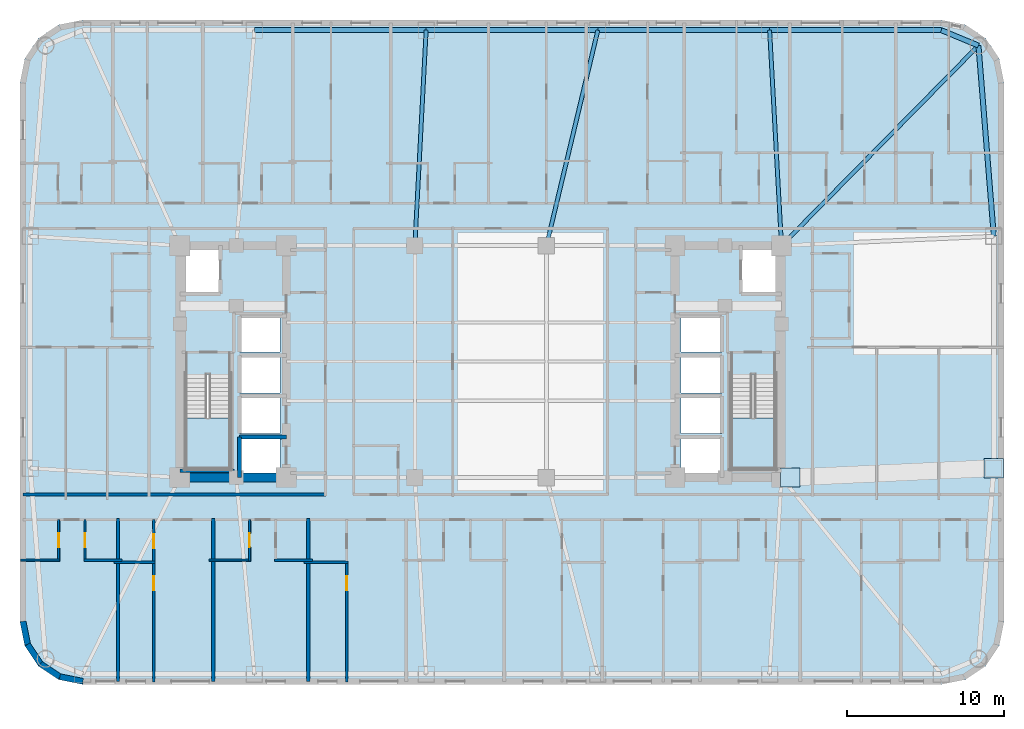
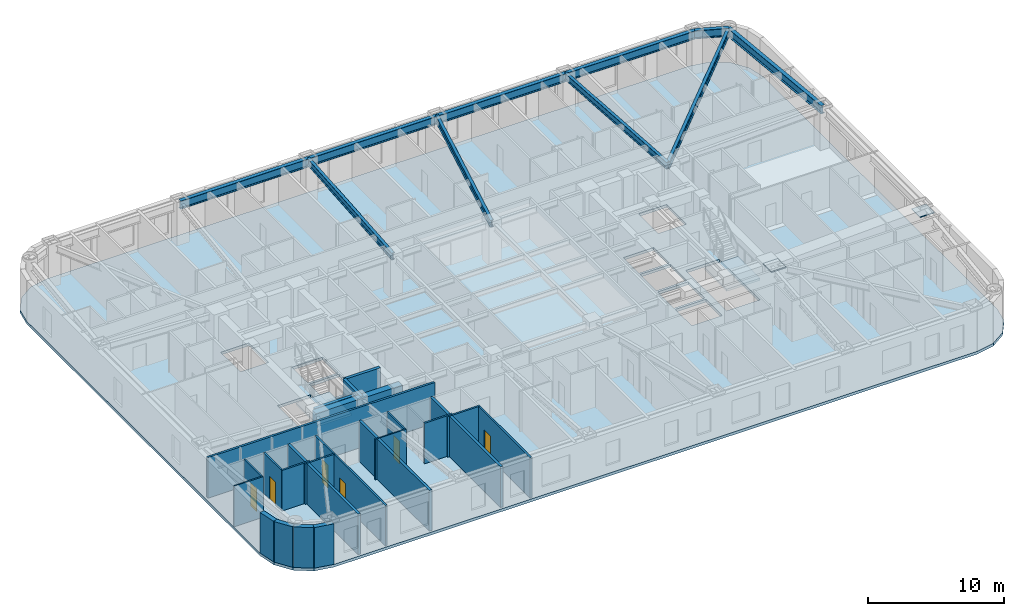
# One storey, part 2 of 13: 24 walls, 10 beams, 6 doors, 3 slabs, 2 plates, 6 openings, 2 elements without a shape of their own.
"""IFC4 building model written with IfcOpenShell, lengths in metres."""

from ifc_helpers import new_model, si_unit, direction, frame, frame_2d, origin, origin_2d, place, context, subcontext, project, spatial, polyline, rectangle, i_section, outline, extrude, material, layer, layer_set, material_profile, profile_set, type_object, element, fill, aggregate, save


model = new_model("IFC4")

# Units and contexts
model_context = context("Model", 3, precision=1e-05, world=origin(), true_north=direction((0.0, 1.0)))
body_context = subcontext(model_context, "Body", "Model", "MODEL_VIEW")
ifc_project = project(units=[si_unit("LENGTHUNIT", "METRE"), si_unit("AREAUNIT", "SQUARE_METRE"), si_unit("VOLUMEUNIT", "CUBIC_METRE"), si_unit("PLANEANGLEUNIT", "RADIAN"), si_unit("MASSUNIT", "GRAM", prefix="KILO")], contexts=[model_context])

# Site, building, storey
site_placement = place(None, origin())
site = spatial("IfcSite", under=ifc_project, at=site_placement, CompositionType="ELEMENT")
building_placement = place(site_placement, origin())
building = spatial("IfcBuilding", under=site, at=building_placement, Name="Voryun Gate Residences", CompositionType="ELEMENT")
storey_placement = place(building_placement, frame((0.0, 0.0, 124.800048828125)))
storey = spatial("IfcBuildingStorey", under=building, at=storey_placement, Name="L30", CompositionType="ELEMENT", Elevation=124.800048828125)

# Beams
ifc_material_1 = material(Name="Steel SM355", Category="steel")
ifc_material_profile_1 = material_profile(ifc_material_1, i_section(OverallWidth=0.320068359375, OverallDepth=0.75, WebThickness=0.01611328125, FlangeThickness=0.028076171875, FilletRadius=0.01806640625, at=origin_2d()), Name="H-750x320x16x28")
ifc_profile_set_1 = profile_set([ifc_material_profile_1], Name="Steel SM355")
beam_type_1 = type_object("IfcBeamType", Name="BM_EXO_SPANDREL_L", PredefinedType="SPANDREL", material=ifc_profile_set_1)
beam_1_placement = place(storey_placement, frame((32.75, 7.998046875, 3.27490234375), z_axis=(-0.080359517973, 0.996765944378, 0.0), x_axis=(-0.996765944378, -0.080359517973, 0.0)))
element("IfcBeam", 1, at=beam_1_placement, inside=storey, type_object=beam_type_1, Name="BM-L30-SPAND-09", PredefinedType="SPANDREL", context=body_context, shape_type="SweptSolid", body=[
    extrude(i_section(OverallWidth=0.320068359375, OverallDepth=0.75, WebThickness=0.01611328125, FlangeThickness=0.028076171875, FilletRadius=0.01806640625, at=origin_2d()), origin(), (0.0, 0.0, 1.0), 12.210205078125),
])
beam_2_placement = place(storey_placement, frame((31.768798828125, 20.168701171875, 3.27490234375), z_axis=(-0.923883376753, 0.382674151414, 0.0), x_axis=(-0.382674151414, -0.923883376753, 0.0)))
element("IfcBeam", 2, at=beam_2_placement, inside=storey, type_object=beam_type_1, Name="BM-L30-SPAND-10", PredefinedType="SPANDREL", context=body_context, shape_type="SweptSolid", body=[
    extrude(i_section(OverallWidth=0.320068359375, OverallDepth=0.75, WebThickness=0.01611328125, FlangeThickness=0.028076171875, FilletRadius=0.01806640625, at=origin_2d()), origin(), (0.0, 0.0, 1.0), 2.56396484375),
])
for number, where, z_axis, x_axis, name in (
    (3, (29.39990234375, 21.14990234375, 3.27490234375), (-1.0, 0.0, 0.0), (0.0, -1.0, 0.0), "BM-L30-SPAND-11"),
    (4, (18.43994140625, 21.14990234375, 3.27490234375), (-1.0, 0.0, 0.0), (0.0, -1.0, 0.0), "BM-L30-SPAND-12"),
    (5, (7.47998046875, 21.14990234375, 3.27490234375), (-1.0, 0.0, 0.0), (0.0, -1.0, 0.0), "BM-L30-SPAND-13"),
    (6, (-3.47998046875, 21.14990234375, 3.27490234375), (-1.0, 0.0, 0.0), (0.0, -1.0, 0.0), "BM-L30-SPAND-14"),
):
    element("IfcBeam", number, at=place(storey_placement, frame(where, z_axis=z_axis, x_axis=x_axis)), inside=storey, type_object=beam_type_1, Name=name, PredefinedType="SPANDREL", context=body_context, shape_type="SweptSolid", body=[
        extrude(i_section(OverallWidth=0.320068359375, OverallDepth=0.75, WebThickness=0.01611328125, FlangeThickness=0.028076171875, FilletRadius=0.01806640625, at=origin_2d()), origin(), (0.0, 0.0, 1.0), 10.9599609375),
    ])
ifc_material_2 = material(Name="Steel SM355", Category="steel")
ifc_material_profile_2 = material_profile(ifc_material_2, i_section(OverallWidth=0.25, OverallDepth=0.60009765625, WebThickness=0.011962890625, FlangeThickness=0.02197265625, FilletRadius=0.01806640625, at=origin_2d()), Name="H-600x250x12x22")
ifc_profile_set_2 = profile_set([ifc_material_profile_2], Name="Steel SM355")
beam_type_2 = type_object("IfcBeamType", Name="BM_GIRD_600", PredefinedType="USERDEFINED", material=ifc_profile_set_2)
beam_3_placement = place(storey_placement, frame((19.199951171875, 7.39990234375, 3.349853515625), z_axis=(0.701504829324, 0.712664699866, 0.0), x_axis=(-0.712664699866, 0.701504829324, 0.0)))
element("IfcBeam", 7, at=beam_3_placement, inside=storey, type_object=beam_type_2, Name="BM-L30-RAD-CNE", ObjectType="GIRDER", PredefinedType="USERDEFINED", context=body_context, shape_type="SweptSolid", body=[
    extrude(i_section(OverallWidth=0.25, OverallDepth=0.60009765625, WebThickness=0.011962890625, FlangeThickness=0.02197265625, FilletRadius=0.01806640625, at=origin_2d()), origin(), (0.0, 0.0, 1.0), 17.9169921875),
])
beam_4_placement = place(storey_placement, frame((19.199951171875, 7.39990234375, 3.349853515625), z_axis=(-0.055189196078, 0.9984759149, 0.0), x_axis=(-0.9984759149, -0.055189196078, 0.0)))
element("IfcBeam", 8, at=beam_4_placement, inside=storey, type_object=beam_type_2, Name="BM-L30-RAD-N2", ObjectType="GIRDER", PredefinedType="USERDEFINED", context=body_context, shape_type="SweptSolid", body=[
    extrude(i_section(OverallWidth=0.25, OverallDepth=0.60009765625, WebThickness=0.011962890625, FlangeThickness=0.02197265625, FilletRadius=0.01806640625, at=origin_2d()), origin(), (0.0, 0.0, 1.0), 13.77099609375),
])
beam_5_placement = place(storey_placement, frame((4.199951171875, 7.39990234375, 3.349853515625), z_axis=(0.232036902087, 0.972706983665, 0.0), x_axis=(-0.972706983665, 0.232036902087, 0.0)))
element("IfcBeam", 9, at=beam_5_placement, inside=storey, type_object=beam_type_2, Name="BM-L30-RAD-N3", ObjectType="GIRDER", PredefinedType="USERDEFINED", context=body_context, shape_type="SweptSolid", body=[
    extrude(i_section(OverallWidth=0.25, OverallDepth=0.60009765625, WebThickness=0.011962890625, FlangeThickness=0.02197265625, FilletRadius=0.01806640625, at=origin_2d()), origin(), (0.0, 0.0, 1.0), 14.1357421875),
])
beam_6_placement = place(storey_placement, frame((-4.199951171875, 7.39990234375, 3.349853515625), z_axis=(0.052289872463, 0.998631948837, 0.0), x_axis=(-0.998631948837, 0.052289872463, 0.0)))
element("IfcBeam", 10, at=beam_6_placement, inside=storey, type_object=beam_type_2, Name="BM-L30-RAD-N4", ObjectType="GIRDER", PredefinedType="USERDEFINED", context=body_context, shape_type="SweptSolid", body=[
    extrude(i_section(OverallWidth=0.25, OverallDepth=0.60009765625, WebThickness=0.011962890625, FlangeThickness=0.02197265625, FilletRadius=0.01806640625, at=origin_2d()), origin(), (0.0, 0.0, 1.0), 13.768798828125),
])

# Plates
ifc_material_3 = material(Name="Steel SM355", Category="steel")
ifc_layer_1 = layer(ifc_material_3, 0.02490234375, Name="PLT_END_CAP_25")
ifc_layer_set_1 = layer_set([ifc_layer_1], Name="Steel SM355")
plate_type = type_object("IfcPlateType", Name="PLT_END_CAP_25", PredefinedType="USERDEFINED", material=ifc_layer_set_1)
for number, where, z_axis, x_axis, name in (
    (11, (19.75, -7.39990234375, 3.059814453125), (0.0, 0.0, 1.0), (1.0, 0.0, 0.0), "L30 Hollow Member End-Cap Plate EC-386"),
    (12, (32.75, -6.798095703125, 3.059814453125), (0.0, 0.0, 1.0), (1.0, 0.0, 0.0), "L30 Hollow Member End-Cap Plate EC-387"),
):
    element("IfcPlate", number, at=place(storey_placement, frame(where, z_axis=z_axis, x_axis=x_axis)), inside=storey, type_object=plate_type, Name=name, ObjectType="BASE_PLATE", PredefinedType="USERDEFINED", context=body_context, shape_type="SweptSolid", body=[
        extrude(rectangle(XDim=1.239990234375, YDim=1.239990234375, at=origin_2d()), origin(), (0.0, 0.0, 1.0), 0.080078125),
    ])

# Slab
ifc_material_4 = material(Name="Concrete C40/50", Category="concrete")
ifc_layer_2 = layer(ifc_material_4, 0.25, Name="SLB_RES_250")
ifc_layer_set_2 = layer_set([ifc_layer_2], Name="Concrete C40/50")
slab_type_1 = type_object("IfcSlabType", Name="SLB_RES_250", PredefinedType="FLOOR", material=ifc_layer_set_2)
slab_1_placement = place(storey_placement, frame((0.0, 0.0, -0.25)))
element("IfcSlab", 13, at=slab_1_placement, inside=storey, type_object=slab_type_1, Name="L30 Structural Floor Slab", PredefinedType="FLOOR", context=body_context, shape_type="SweptSolid", body=[
    extrude(outline(polyline([(-25.39990234375, -20.60009765625), (-26.9306640625, -20.29541015625), (-28.228515625, -19.428466796875), (-29.095458984375, -18.130615234375), (-29.39990234375, -16.60009765625), (-29.39990234375, 17.800048828125), (-29.095458984375, 19.330810546875), (-28.228515625, 20.62841796875), (-26.9306640625, 21.49560546875), (-25.39990234375, 21.800048828125), (29.39990234375, 21.800048828125), (30.9306640625, 21.49560546875), (32.228515625, 20.62841796875), (33.095458984375, 19.330810546875), (33.39990234375, 17.800048828125), (33.39990234375, -16.60009765625), (33.095458984375, -18.130615234375), (32.228515625, -19.428466796875), (30.9306640625, -20.29541015625), (29.39990234375, -20.60009765625), (-25.39990234375, -20.60009765625)]), holes=[polyline([(-12.800048828125, -4.800048828125), (-15.39990234375, -4.800048828125), (-15.39990234375, -7.199951171875), (-12.800048828125, -7.199951171875), (-12.800048828125, -4.800048828125)]), polyline([(-18.824951171875, -6.85009765625), (-15.97509765625, -6.85009765625), (-15.97509765625, -0.840087890625), (-18.824951171875, -0.840087890625), (-18.824951171875, -6.85009765625)]), polyline([(-12.800048828125, -4.60009765625), (-12.800048828125, -2.199951171875), (-15.39990234375, -2.199951171875), (-15.39990234375, -4.60009765625), (-12.800048828125, -4.60009765625)]), polyline([(-12.800048828125, 0.39990234375), (-15.39990234375, 0.39990234375), (-15.39990234375, -2.0), (-12.800048828125, -2.0), (-12.800048828125, 0.39990234375)]), polyline([(-12.800048828125, 0.60009765625), (-12.800048828125, 2.89990234375), (-15.39990234375, 2.89990234375), (-15.39990234375, 0.60009765625), (-12.800048828125, 0.60009765625)]), polyline([(-16.60009765625, 4.300048828125), (-16.60009765625, 7.199951171875), (-19.0, 7.199951171875), (-19.0, 4.300048828125), (-16.60009765625, 4.300048828125)]), polyline([(15.39990234375, -4.800048828125), (12.800048828125, -4.800048828125), (12.800048828125, -7.199951171875), (15.39990234375, -7.199951171875), (15.39990234375, -4.800048828125)]), polyline([(15.97509765625, -6.85009765625), (18.824951171875, -6.85009765625), (18.824951171875, -0.840087890625), (15.97509765625, -0.840087890625), (15.97509765625, -6.85009765625)]), polyline([(15.39990234375, -4.60009765625), (15.39990234375, -2.199951171875), (12.800048828125, -2.199951171875), (12.800048828125, -4.60009765625), (15.39990234375, -4.60009765625)]), polyline([(15.39990234375, 0.39990234375), (12.800048828125, 0.39990234375), (12.800048828125, -2.0), (15.39990234375, -2.0), (15.39990234375, 0.39990234375)]), polyline([(15.39990234375, 0.60009765625), (15.39990234375, 2.89990234375), (12.800048828125, 2.89990234375), (12.800048828125, 0.60009765625), (15.39990234375, 0.60009765625)]), polyline([(19.0, 4.300048828125), (19.0, 7.199951171875), (16.60009765625, 7.199951171875), (16.60009765625, 4.300048828125), (19.0, 4.300048828125)])]), origin(), (0.0, 0.0, 1.0), 0.25),
])

# Stair, slab
ifc_material_5 = material(Name="Concrete C40/50", Category="concrete")
stair_type = type_object("IfcStairType", Name="STR_CORE_DOGLEG_1350", PredefinedType="HALF_TURN_STAIR", material=ifc_material_5)
stair_1_placement = place(storey_placement, origin())
stair_1 = element("IfcStair", 14, at=stair_1_placement, inside=storey, type_object=stair_type, Name="L30 Special Escape Stair ST-W1", PredefinedType="HALF_TURN_STAIR")
ifc_material_6 = material(Name="Concrete C40/50", Category="concrete")
ifc_layer_3 = layer(ifc_material_6, 0.199951171875, Name="SLB_STAIR_LANDING_200")
ifc_layer_set_3 = layer_set([ifc_layer_3], Name="Concrete C40/50")
slab_type_2 = type_object("IfcSlabType", Name="SLB_STAIR_LANDING_200", PredefinedType="LANDING", material=ifc_layer_set_3)
slab_2_placement = place(storey_placement, frame((0.0, 0.0, 1.75)))
slab_2 = element("IfcSlab", 15, at=slab_2_placement, type_object=slab_type_2, Name="ST-W1 landing 1", PredefinedType="LANDING", context=body_context, shape_type="SweptSolid", body=[
    extrude(outline(polyline([(-18.824951171875, -3.60009765625), (-18.824951171875, -6.85009765625), (-15.97509765625, -6.85009765625), (-15.97509765625, -3.60009765625), (-18.824951171875, -3.60009765625)])), origin(), (0.0, 0.0, 1.0), 0.199951171875),
])
aggregate(stair_1, [slab_2])

stair_2_placement = place(storey_placement, origin())
stair_2 = element("IfcStair", 16, at=stair_2_placement, inside=storey, type_object=stair_type, Name="L30 Special Escape Stair ST-E1", PredefinedType="HALF_TURN_STAIR")
slab_3_placement = place(storey_placement, frame((0.0, 0.0, 1.75)))
slab_3 = element("IfcSlab", 17, at=slab_3_placement, type_object=slab_type_2, Name="ST-E1 landing 1", PredefinedType="LANDING", context=body_context, shape_type="SweptSolid", body=[
    extrude(outline(polyline([(15.97509765625, -3.60009765625), (15.97509765625, -6.85009765625), (18.824951171875, -6.85009765625), (18.824951171875, -3.60009765625), (15.97509765625, -3.60009765625)])), origin(), (0.0, 0.0, 1.0), 0.199951171875),
])
aggregate(stair_2, [slab_3])

# Walls
ifc_material_7 = material(Name="Concrete C60/75", Category="concrete")
ifc_layer_4 = layer(ifc_material_7, 0.550048828125, Name="CW_CORE_550")
ifc_layer_set_4 = layer_set([ifc_layer_4], Name="Concrete C60/75")
wall_type_1 = type_object("IfcWallType", Name="CW_CORE_550", PredefinedType="SHEAR", material=ifc_layer_set_4)
wall_1_placement = place(storey_placement, frame((-19.47509765625, -7.39990234375, 0.0), z_axis=(0.0, 0.0, 1.0), x_axis=(1.0, 0.0, 0.0)))
element("IfcWall", 18, at=wall_1_placement, inside=storey, type_object=wall_type_1, Name="L30 Core shear wall CW-L30-WS", PredefinedType="SHEAR", context=body_context, shape_type="SweptSolid", body=[
    extrude(rectangle(XDim=7.35009765625, YDim=0.550048828125, at=frame_2d((3.675048828125, 0.0))), origin(), (0.0, 0.0, 1.0), 3.64990234375),
])
ifc_material_8 = material(Name="Gypsum acoustic fireboard")
ifc_layer_5 = layer(ifc_material_8, 0.179931640625, Name="W_CORR_RATED_180")
ifc_layer_set_5 = layer_set([ifc_layer_5], Name="Gypsum acoustic fireboard")
wall_type_2 = type_object("IfcWallType", Name="W_CORR_RATED_180", PredefinedType="PARTITIONING", material=ifc_layer_set_5)
wall_2_placement = place(storey_placement, frame((-29.2099609375, -8.489990234375, 0.0), z_axis=(0.0, 0.0, 1.0), x_axis=(1.0, 0.0, 0.0)))
element("IfcWall", 19, at=wall_2_placement, inside=storey, type_object=wall_type_2, Name="Partition wall WP-L30-CWING-WS", PredefinedType="PARTITIONING", context=body_context, shape_type="SweptSolid", body=[
    extrude(rectangle(XDim=19.330078125, YDim=0.179931640625, at=frame_2d((9.6650390625, 0.0))), origin(), (0.0, 0.0, 1.0), 3.64990234375),
])
ifc_material_9 = material(Name="Granite masonry", Category="masonry")
ifc_layer_6 = layer(ifc_material_9, 0.3798828125, Name="W_EXT_GRANITE_380")
ifc_layer_set_6 = layer_set([ifc_layer_6], Name="Granite masonry")
wall_type_3 = type_object("IfcWallType", Name="W_EXT_GRANITE_380", PredefinedType="ELEMENTEDWALL", material=ifc_layer_set_6)
wall_3_placement = place(storey_placement, frame((-25.38134765625, -20.409912109375, 0.0), z_axis=(0.0, 0.0, 1.0), x_axis=(-0.980786132421, 0.195086038585, 0.0)))
element("IfcWall", 20, at=wall_3_placement, inside=storey, type_object=wall_type_3, Name="Exterior wall WEXT-L30-02", PredefinedType="ELEMENTEDWALL", context=body_context, shape_type="SweptSolid", body=[
    extrude(rectangle(XDim=1.504150390625, YDim=0.3798828125, at=frame_2d((0.751953125, 0.0))), origin(), (0.0, 0.0, 1.0), 3.64990234375),
])
wall_4_placement = place(storey_placement, frame((-26.856689453125, -20.116455078125, 0.0), z_axis=(0.0, 0.0, 1.0), x_axis=(-0.831468045563, 0.555572577804, 0.0)))
element("IfcWall", 21, at=wall_4_placement, inside=storey, type_object=wall_type_3, Name="Exterior wall WEXT-L30-03", PredefinedType="ELEMENTEDWALL", context=body_context, shape_type="SweptSolid", body=[
    extrude(rectangle(XDim=1.48486328125, YDim=0.3798828125, at=frame_2d((0.742431640625, 0.0))), origin(), (0.0, 0.0, 1.0), 3.64990234375),
])
wall_5_placement = place(storey_placement, frame((-28.09130859375, -19.29150390625, 0.0), z_axis=(0.0, 0.0, 1.0), x_axis=(-0.555610286119, 0.831442848281, 0.0)))
element("IfcWall", 22, at=wall_5_placement, inside=storey, type_object=wall_type_3, Name="Exterior wall WEXT-L30-04", PredefinedType="ELEMENTEDWALL", context=body_context, shape_type="SweptSolid", body=[
    extrude(rectangle(XDim=1.485107421875, YDim=0.3798828125, at=frame_2d((0.74267578125, 0.0))), origin(), (0.0, 0.0, 1.0), 3.64990234375),
])
wall_6_placement = place(storey_placement, frame((-28.91650390625, -18.056640625, 0.0), z_axis=(0.0, 0.0, 1.0), x_axis=(-0.195086038585, 0.980786132421, 0.0)))
element("IfcWall", 23, at=wall_6_placement, inside=storey, type_object=wall_type_3, Name="Exterior wall WEXT-L30-05", PredefinedType="ELEMENTEDWALL", context=body_context, shape_type="SweptSolid", body=[
    extrude(rectangle(XDim=1.504150390625, YDim=0.3798828125, at=frame_2d((0.751953125, 0.0))), origin(), (0.0, 0.0, 1.0), 3.64990234375),
])
ifc_material_10 = material(Name="Concrete C40/50", Category="concrete")
ifc_layer_7 = layer(ifc_material_10, 0.219970703125, Name="W_PARTY_ACOUSTIC_220")
ifc_layer_set_7 = layer_set([ifc_layer_7], Name="Concrete C40/50")
wall_type_4 = type_object("IfcWallType", Name="W_PARTY_ACOUSTIC_220", PredefinedType="PARTITIONING", material=ifc_layer_set_7)
for number, where, z_axis, x_axis, name in (
    (24, (-23.14501953125, -20.409912109375, 0.0), (0.0, 0.0, 1.0), (0.0, 1.0, 0.0), "Partition wall WP-L30-SPTY-1"),
    (25, (-17.072998046875, -20.409912109375, 0.0), (0.0, 0.0, 1.0), (0.0, 1.0, 0.0), "Partition wall WP-L30-SPTY-2"),
    (26, (-11.0, -20.409912109375, 0.0), (0.0, 0.0, 1.0), (0.0, 1.0, 0.0), "Partition wall WP-L30-SPTY-3"),
):
    element("IfcWall", number, at=place(storey_placement, frame(where, z_axis=z_axis, x_axis=x_axis)), inside=storey, type_object=wall_type_4, Name=name, PredefinedType="PARTITIONING", context=body_context, shape_type="SweptSolid", body=[
        extrude(rectangle(XDim=10.389892578125, YDim=0.219970703125, at=frame_2d((5.19482421875, 0.0))), origin(), (0.0, 0.0, 1.0), 3.64990234375),
    ])
ifc_material_11 = material(Name="Concrete C50/60", Category="concrete")
ifc_layer_8 = layer(ifc_material_11, 0.25, Name="W_SHAFT_RC250")
ifc_layer_set_8 = layer_set([ifc_layer_8], Name="Concrete C50/60")
wall_type_5 = type_object("IfcWallType", Name="W_SHAFT_RC250", PredefinedType="SOLIDWALL", material=ifc_layer_set_8)
wall_7_placement = place(storey_placement, frame((-19.199951171875, -6.965087890625, 0.0), z_axis=(0.0, 0.0, 1.0), x_axis=(1.0, 0.0, 0.0)))
element("IfcWall", 27, at=wall_7_placement, inside=storey, type_object=wall_type_5, Name="L30 Stair shaft structural wall W-STS", PredefinedType="SOLIDWALL", context=body_context, shape_type="SweptSolid", body=[
    extrude(rectangle(XDim=3.4599609375, YDim=0.25, at=frame_2d((1.72998046875, 0.0))), origin(), (0.0, 0.0, 1.0), 3.64990234375),
])
wall_8_placement = place(storey_placement, frame((-12.39990234375, -4.800048828125, 0.0), z_axis=(0.0, 0.0, 1.0), x_axis=(-1.0, 0.0, 0.0)))
element("IfcWall", 28, at=wall_8_placement, inside=storey, type_object=wall_type_5, Name="Lift shaft wall WSH-L30-EL-P1-N", PredefinedType="SOLIDWALL", context=body_context, shape_type="SweptSolid", body=[
    extrude(rectangle(XDim=3.0, YDim=0.25, at=frame_2d((1.5, 0.0))), origin(), (0.0, 0.0, 1.0), 3.64990234375),
])
wall_9_placement = place(storey_placement, frame((-15.39990234375, -4.800048828125, 0.0), z_axis=(0.0, 0.0, 1.0), x_axis=(0.0, -1.0, 0.0)))
element("IfcWall", 29, at=wall_9_placement, inside=storey, type_object=wall_type_5, Name="Lift shaft wall WSH-L30-EL-P1-W", PredefinedType="SOLIDWALL", context=body_context, shape_type="SweptSolid", body=[
    extrude(rectangle(XDim=2.599853515625, YDim=0.25, at=frame_2d((1.2998046875, 0.0))), origin(), (0.0, 0.0, 1.0), 3.64990234375),
])

# Wall, opening, door
ifc_material_12 = material(Name="Gypsum acoustic partition")
ifc_layer_9 = layer(ifc_material_12, 0.125, Name="W_UNIT_PART_125")
ifc_layer_set_9 = layer_set([ifc_layer_9], Name="Gypsum acoustic partition")
wall_type_6 = type_object("IfcWallType", Name="W_UNIT_PART_125", PredefinedType="PARTITIONING", material=ifc_layer_set_9)
wall_10_placement = place(storey_placement, frame((-26.93310546875, -12.72998046875, 0.0), z_axis=(0.0, 0.0, 1.0), x_axis=(0.0, 1.0, 0.0)))
wall_10 = element("IfcWall", 30, at=wall_10_placement, inside=storey, type_object=wall_type_6, Name="Partition wall WP-L30-S1-CVK", PredefinedType="PARTITIONING", context=body_context, shape_type="SweptSolid", body=[
    extrude(rectangle(XDim=2.64990234375, YDim=0.125, at=frame_2d((1.324951171875, 0.0))), origin(), (0.0, 0.0, 1.0), 3.64990234375),
])
opening_1_placement = place(wall_10_placement, frame((0.875, 0.0, 0.0)))
opening_1 = element("IfcOpeningElement", 31, at=opening_1_placement, cuts=wall_10, Name="Opening D-INT-2", PredefinedType="OPENING", context=body_context, shape_type="SweptSolid", body=[
    extrude(rectangle(XDim=0.89990234375, YDim=2.050048828125, at=frame_2d((0.449951171875, 1.02490234375))), frame((0.0, 0.072509765625, 0.0), z_axis=(0.0, -1.0, 0.0), x_axis=(1.0, 0.0, 0.0)), (0.0, 0.0, 1.0), 0.14501953125),
])
ifc_material_13 = material(Name="Architectural oak veneer")
door_type = type_object("IfcDoorType", Name="DR_INT_BATH_900", OperationType="NOTDEFINED", PredefinedType="DOOR", material=ifc_material_13)
door_1_placement = place(opening_1_placement, origin())
door_1 = element("IfcDoor", 32, at=door_1_placement, inside=storey, type_object=door_type, Name="Door DR-L30-S1-DK", OperationType="SINGLE_SWING_LEFT", OverallHeight=2.050048828125, OverallWidth=0.89990234375, PredefinedType="DOOR", context=body_context, shape_type="SweptSolid", body=[
    extrude(rectangle(XDim=0.89990234375, YDim=2.050048828125, at=frame_2d((0.449951171875, 1.02490234375))), frame((0.0, 0.02490234375, 0.0), z_axis=(0.0, -1.0, 0.0), x_axis=(1.0, 0.0, 0.0)), (0.0, 0.0, 1.0), 0.050048828125),
])
fill(opening_1, door_1)

# Wall
wall_11_placement = place(storey_placement, frame((-29.360107421875, -12.669921875, 0.0), z_axis=(0.0, 0.0, 1.0), x_axis=(1.0, 0.0, 0.0)))
element("IfcWall", 33, at=wall_11_placement, inside=storey, type_object=wall_type_6, Name="Partition wall WP-L30-S1-CHK", PredefinedType="PARTITIONING", context=body_context, shape_type="SweptSolid", body=[
    extrude(rectangle(XDim=2.487060546875, YDim=0.125, at=frame_2d((1.24365234375, 0.0))), origin(), (0.0, 0.0, 1.0), 3.64990234375),
])

# Wall, opening, door
wall_12_placement = place(storey_placement, frame((-14.7509765625, -12.72998046875, 0.0), z_axis=(0.0, 0.0, 1.0), x_axis=(0.0, 1.0, 0.0)))
wall_12 = element("IfcWall", 34, at=wall_12_placement, inside=storey, type_object=wall_type_6, Name="Partition wall WP-L30-S3-CVK", PredefinedType="PARTITIONING", context=body_context, shape_type="SweptSolid", body=[
    extrude(rectangle(XDim=2.64990234375, YDim=0.125, at=frame_2d((1.324951171875, 0.0))), origin(), (0.0, 0.0, 1.0), 3.64990234375),
])
opening_2_placement = place(wall_12_placement, frame((0.875, 0.0, 0.0)))
opening_2 = element("IfcOpeningElement", 35, at=opening_2_placement, cuts=wall_12, Name="Opening D-INT-2", PredefinedType="OPENING", context=body_context, shape_type="SweptSolid", body=[
    extrude(rectangle(XDim=0.89990234375, YDim=2.050048828125, at=frame_2d((0.449951171875, 1.02490234375))), frame((0.0, 0.072509765625, 0.0), z_axis=(0.0, -1.0, 0.0), x_axis=(1.0, 0.0, 0.0)), (0.0, 0.0, 1.0), 0.14501953125),
])
door_2_placement = place(opening_2_placement, origin())
door_2 = element("IfcDoor", 36, at=door_2_placement, inside=storey, type_object=door_type, Name="Door DR-L30-S3-DK", OperationType="SINGLE_SWING_LEFT", OverallHeight=2.050048828125, OverallWidth=0.89990234375, PredefinedType="DOOR", context=body_context, shape_type="SweptSolid", body=[
    extrude(rectangle(XDim=0.89990234375, YDim=2.050048828125, at=frame_2d((0.449951171875, 1.02490234375))), frame((0.0, 0.02490234375, 0.0), z_axis=(0.0, -1.0, 0.0), x_axis=(1.0, 0.0, 0.0)), (0.0, 0.0, 1.0), 0.050048828125),
])
fill(opening_2, door_2)

# Wall
wall_13_placement = place(storey_placement, frame((-17.3330078125, -12.669921875, 0.0), z_axis=(0.0, 0.0, 1.0), x_axis=(1.0, 0.0, 0.0)))
element("IfcWall", 37, at=wall_13_placement, inside=storey, type_object=wall_type_6, Name="Partition wall WP-L30-S3-CHK", PredefinedType="PARTITIONING", context=body_context, shape_type="SweptSolid", body=[
    extrude(rectangle(XDim=2.64208984375, YDim=0.125, at=frame_2d((1.321044921875, 0.0))), origin(), (0.0, 0.0, 1.0), 3.64990234375),
])

# Wall, opening, door
ifc_material_14 = material(Name="Gypsum moisture-resistant partition")
ifc_layer_10 = layer(ifc_material_14, 0.14990234375, Name="W_WET_PLUMB_150")
ifc_layer_set_10 = layer_set([ifc_layer_10], Name="Gypsum moisture-resistant partition")
wall_type_7 = type_object("IfcWallType", Name="W_WET_PLUMB_150", PredefinedType="PLUMBINGWALL", material=ifc_layer_set_10)
wall_14_placement = place(storey_placement, frame((-25.2490234375, -12.72998046875, 0.0), z_axis=(0.0, 0.0, 1.0), x_axis=(0.0, 1.0, 0.0)))
wall_14 = element("IfcWall", 38, at=wall_14_placement, inside=storey, type_object=wall_type_7, Name="Partition wall WP-L30-S1-CVB", PredefinedType="PLUMBINGWALL", context=body_context, shape_type="SweptSolid", body=[
    extrude(rectangle(XDim=2.64990234375, YDim=0.14990234375, at=frame_2d((1.324951171875, 0.0))), origin(), (0.0, 0.0, 1.0), 3.64990234375),
])
opening_3_placement = place(wall_14_placement, frame((0.875, 0.0, 0.0)))
opening_3 = element("IfcOpeningElement", 39, at=opening_3_placement, cuts=wall_14, Name="Opening D-INT-2", PredefinedType="OPENING", context=body_context, shape_type="SweptSolid", body=[
    extrude(rectangle(XDim=0.89990234375, YDim=2.050048828125, at=frame_2d((0.449951171875, 1.02490234375))), frame((0.0, 0.0849609375, 0.0), z_axis=(0.0, -1.0, 0.0), x_axis=(1.0, 0.0, 0.0)), (0.0, 0.0, 1.0), 0.169921875),
])
door_3_placement = place(opening_3_placement, origin())
door_3 = element("IfcDoor", 40, at=door_3_placement, inside=storey, type_object=door_type, Name="Door DR-L30-S1-DB", OperationType="SINGLE_SWING_RIGHT", OverallHeight=2.050048828125, OverallWidth=0.89990234375, PredefinedType="DOOR", context=body_context, shape_type="SweptSolid", body=[
    extrude(rectangle(XDim=0.89990234375, YDim=2.050048828125, at=frame_2d((0.449951171875, 1.02490234375))), frame((0.0, 0.02490234375, 0.0), z_axis=(0.0, -1.0, 0.0), x_axis=(1.0, 0.0, 0.0)), (0.0, 0.0, 1.0), 0.050048828125),
])
fill(opening_3, door_3)

# Walls
wall_15_placement = place(storey_placement, frame((-25.30908203125, -12.669921875, 0.0), z_axis=(0.0, 0.0, 1.0), x_axis=(1.0, 0.0, 0.0)))
element("IfcWall", 41, at=wall_15_placement, inside=storey, type_object=wall_type_7, Name="Partition wall WP-L30-S1-CHB", PredefinedType="PLUMBINGWALL", context=body_context, shape_type="SweptSolid", body=[
    extrude(rectangle(XDim=2.424072265625, YDim=0.14990234375, at=frame_2d((1.2119140625, 0.0))), origin(), (0.0, 0.0, 1.0), 3.64990234375),
])
wall_16_placement = place(storey_placement, frame((-23.405029296875, -12.800048828125, 0.0), z_axis=(0.0, 0.0, 1.0), x_axis=(1.0, 0.0, 0.0)))
element("IfcWall", 42, at=wall_16_placement, inside=storey, type_object=wall_type_7, Name="Partition wall WP-L30-S2-SKB", PredefinedType="PLUMBINGWALL", context=body_context, shape_type="SweptSolid", body=[
    extrude(rectangle(XDim=2.6201171875, YDim=0.14990234375, at=frame_2d((1.31005859375, 0.0))), origin(), (0.0, 0.0, 1.0), 3.64990234375),
])

# Wall, opening, door
wall_17_placement = place(storey_placement, frame((-20.864990234375, -20.45751953125, 0.0), z_axis=(0.0, 0.0, 1.0), x_axis=(0.0, 1.0, 0.0)))
wall_17 = element("IfcWall", 43, at=wall_17_placement, inside=storey, type_object=wall_type_7, Name="Partition wall WP-L30-S2-SVT1", PredefinedType="PLUMBINGWALL", context=body_context, shape_type="SweptSolid", body=[
    extrude(rectangle(XDim=7.697509765625, YDim=0.14990234375, at=frame_2d((3.8486328125, 0.0))), origin(), (0.0, 0.0, 1.0), 3.64990234375),
])
opening_4_placement = place(wall_17_placement, frame((5.862060546875, 0.0, 0.0)))
opening_4 = element("IfcOpeningElement", 44, at=opening_4_placement, cuts=wall_17, Name="Opening D-INT-2", PredefinedType="OPENING", context=body_context, shape_type="SweptSolid", body=[
    extrude(rectangle(XDim=0.89990234375, YDim=2.050048828125, at=frame_2d((0.449951171875, 1.02490234375))), frame((0.0, 0.0849609375, 0.0), z_axis=(0.0, -1.0, 0.0), x_axis=(1.0, 0.0, 0.0)), (0.0, 0.0, 1.0), 0.169921875),
])
door_4_placement = place(opening_4_placement, origin())
door_4 = element("IfcDoor", 45, at=door_4_placement, inside=storey, type_object=door_type, Name="Door DR-L30-S2-DK", OperationType="SINGLE_SWING_LEFT", OverallHeight=2.050048828125, OverallWidth=0.89990234375, PredefinedType="DOOR", context=body_context, shape_type="SweptSolid", body=[
    extrude(rectangle(XDim=0.89990234375, YDim=2.050048828125, at=frame_2d((0.449951171875, 1.02490234375))), frame((0.0, 0.02490234375, 0.0), z_axis=(0.0, -1.0, 0.0), x_axis=(1.0, 0.0, 0.0)), (0.0, 0.0, 1.0), 0.050048828125),
])
fill(opening_4, door_4)

wall_18_placement = place(storey_placement, frame((-20.864990234375, -12.840087890625, 0.0), z_axis=(0.0, 0.0, 1.0), x_axis=(0.0, 1.0, 0.0)))
wall_18 = element("IfcWall", 46, at=wall_18_placement, inside=storey, type_object=wall_type_7, Name="Partition wall WP-L30-S2-SVT2", PredefinedType="PLUMBINGWALL", context=body_context, shape_type="SweptSolid", body=[
    extrude(rectangle(XDim=2.760009765625, YDim=0.14990234375, at=frame_2d((1.3798828125, 0.0))), origin(), (0.0, 0.0, 1.0), 3.64990234375),
])
opening_5_placement = place(wall_18_placement, frame((0.929931640625, 0.0, 0.0)))
opening_5 = element("IfcOpeningElement", 47, at=opening_5_placement, cuts=wall_18, Name="Opening D-INT-2", PredefinedType="OPENING", context=body_context, shape_type="SweptSolid", body=[
    extrude(rectangle(XDim=0.89990234375, YDim=2.050048828125, at=frame_2d((0.449951171875, 1.02490234375))), frame((0.0, 0.0849609375, 0.0), z_axis=(0.0, -1.0, 0.0), x_axis=(1.0, 0.0, 0.0)), (0.0, 0.0, 1.0), 0.169921875),
])
door_5_placement = place(opening_5_placement, origin())
door_5 = element("IfcDoor", 48, at=door_5_placement, inside=storey, type_object=door_type, Name="Door DR-L30-S2-DB", OperationType="SINGLE_SWING_RIGHT", OverallHeight=2.050048828125, OverallWidth=0.89990234375, PredefinedType="DOOR", context=body_context, shape_type="SweptSolid", body=[
    extrude(rectangle(XDim=0.89990234375, YDim=2.050048828125, at=frame_2d((0.449951171875, 1.02490234375))), frame((0.0, 0.02490234375, 0.0), z_axis=(0.0, -1.0, 0.0), x_axis=(1.0, 0.0, 0.0)), (0.0, 0.0, 1.0), 0.050048828125),
])
fill(opening_5, door_5)

# Walls
wall_19_placement = place(storey_placement, frame((-13.14404296875, -12.669921875, 0.0), z_axis=(0.0, 0.0, 1.0), x_axis=(1.0, 0.0, 0.0)))
element("IfcWall", 49, at=wall_19_placement, inside=storey, type_object=wall_type_7, Name="Partition wall WP-L30-S3-CHB", PredefinedType="PLUMBINGWALL", context=body_context, shape_type="SweptSolid", body=[
    extrude(rectangle(XDim=2.404052734375, YDim=0.14990234375, at=frame_2d((1.2021484375, 0.0))), origin(), (0.0, 0.0, 1.0), 3.64990234375),
])
wall_20_placement = place(storey_placement, frame((-11.260009765625, -12.800048828125, 0.0), z_axis=(0.0, 0.0, 1.0), x_axis=(1.0, 0.0, 0.0)))
element("IfcWall", 50, at=wall_20_placement, inside=storey, type_object=wall_type_7, Name="Partition wall WP-L30-S4-SKB", PredefinedType="PLUMBINGWALL", context=body_context, shape_type="SweptSolid", body=[
    extrude(rectangle(XDim=2.791015625, YDim=0.14990234375, at=frame_2d((1.3955078125, 0.0))), origin(), (0.0, 0.0, 1.0), 3.64990234375),
])

# Wall, opening, door
wall_21_placement = place(storey_placement, frame((-8.549072265625, -20.45751953125, 0.0), z_axis=(0.0, 0.0, 1.0), x_axis=(0.0, 1.0, 0.0)))
wall_21 = element("IfcWall", 51, at=wall_21_placement, inside=storey, type_object=wall_type_7, Name="Partition wall WP-L30-S4-SVT1", PredefinedType="PLUMBINGWALL", context=body_context, shape_type="SweptSolid", body=[
    extrude(rectangle(XDim=7.697509765625, YDim=0.14990234375, at=frame_2d((3.8486328125, 0.0))), origin(), (0.0, 0.0, 1.0), 3.64990234375),
])
opening_6_placement = place(wall_21_placement, frame((5.862060546875, 0.0, 0.0)))
opening_6 = element("IfcOpeningElement", 52, at=opening_6_placement, cuts=wall_21, Name="Opening D-INT-2", PredefinedType="OPENING", context=body_context, shape_type="SweptSolid", body=[
    extrude(rectangle(XDim=0.89990234375, YDim=2.050048828125, at=frame_2d((0.449951171875, 1.02490234375))), frame((0.0, 0.0849609375, 0.0), z_axis=(0.0, -1.0, 0.0), x_axis=(1.0, 0.0, 0.0)), (0.0, 0.0, 1.0), 0.169921875),
])
door_6_placement = place(opening_6_placement, origin())
door_6 = element("IfcDoor", 53, at=door_6_placement, inside=storey, type_object=door_type, Name="Door DR-L30-S4-DK", OperationType="SINGLE_SWING_LEFT", OverallHeight=2.050048828125, OverallWidth=0.89990234375, PredefinedType="DOOR", context=body_context, shape_type="SweptSolid", body=[
    extrude(rectangle(XDim=0.89990234375, YDim=2.050048828125, at=frame_2d((0.449951171875, 1.02490234375))), frame((0.0, 0.02490234375, 0.0), z_axis=(0.0, -1.0, 0.0), x_axis=(1.0, 0.0, 0.0)), (0.0, 0.0, 1.0), 0.050048828125),
])
fill(opening_6, door_6)

save(model, "model.ifc")
